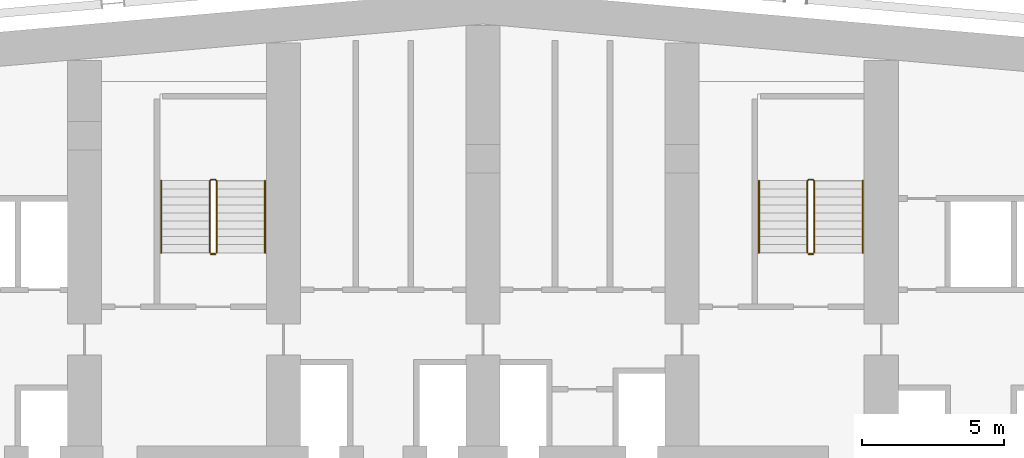
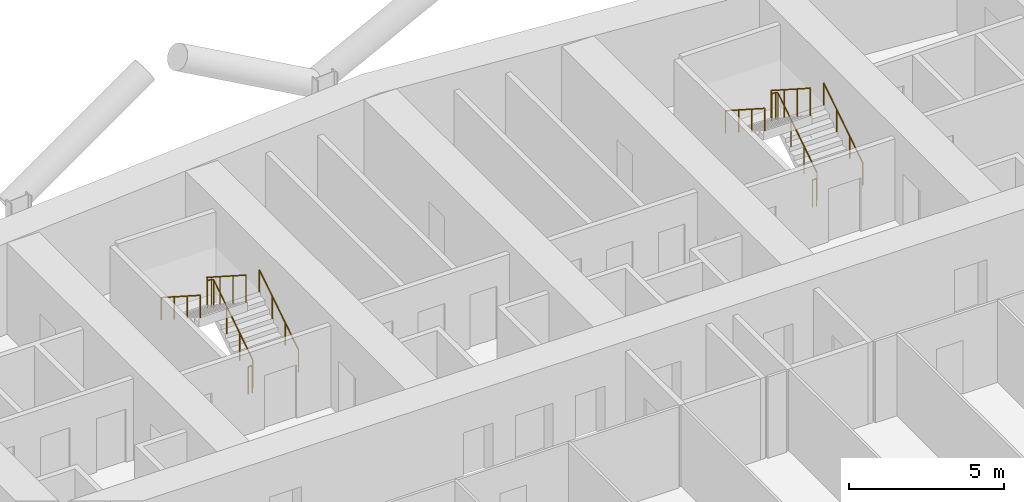
# One storey, part 27 of 28: 8 railings.
"""IFC4 building model written with IfcOpenShell, lengths in metres."""

from ifc_helpers import new_model, si_unit, direction, frame, origin, origin_2d, place, context, subcontext, project, spatial, circle, extrude, material, type_object, element, save


model = new_model("IFC4")

# Units and contexts
model_context = context("Model", 3, precision=1e-05, world=origin(), true_north=direction((0.0, 1.0)))
body_context = subcontext(model_context, "Body", "Model", "MODEL_VIEW")
ifc_project = project(units=[si_unit("LENGTHUNIT", "METRE"), si_unit("AREAUNIT", "SQUARE_METRE"), si_unit("VOLUMEUNIT", "CUBIC_METRE"), si_unit("PLANEANGLEUNIT", "RADIAN"), si_unit("MASSUNIT", "GRAM", prefix="KILO")], contexts=[model_context])

# Site, building, storey
site_placement = place(None, origin())
site = spatial("IfcSite", under=ifc_project, at=site_placement, CompositionType="ELEMENT")
building_placement = place(site_placement, origin())
building = spatial("IfcBuilding", under=site, at=building_placement, Name="Wharfspan Tower", CompositionType="ELEMENT")
storey_placement = place(building_placement, frame((0.0, 0.0, 52.300049)))
storey = spatial("IfcBuildingStorey", under=building, at=storey_placement, Name="L09", CompositionType="ELEMENT", Elevation=52.300049)

# Railings
ifc_material = material(Name="Steel S355J2", Category="steel")
railing_type_1 = type_object("IfcRailingType", Name="Stair guard 1100", PredefinedType="GUARDRAIL", material=ifc_material)
railing_1_placement = place(storey_placement, frame((27.649902, 42.0, 0.179932)))
element("IfcRailing", 1, at=railing_1_placement, inside=storey, type_object=railing_type_1, Name="L09 ST1 stair guard 1", PredefinedType="GUARDRAIL", context=body_context, shape_type="SweptSolid", body=[
    extrude(circle(Radius=0.023926, at=origin_2d()), frame((0.0, 0.0, 1.076172), z_axis=(0.0, 0.841163, 0.540782), x_axis=(-1.0, 0.0, 0.0)), (0.0, 0.0, 1.0), 2.99585),
    extrude(circle(Radius=0.023926, at=origin_2d()), frame((0.0, 2.52002, 2.696289), z_axis=(-0.705376, 0.708834, 0.0), x_axis=(-0.708834, -0.705376, 0.0)), (0.0, 0.0, 1.0), 0.070557),
    extrude(circle(Radius=0.023926, at=origin_2d()), frame((-0.049805, 2.570068, 2.696289), z_axis=(-1.0, 0.0, 0.0), x_axis=(0.0, -1.0, 0.0)), (0.0, 0.0, 1.0), 0.150146),
    extrude(circle(Radius=0.023926, at=origin_2d()), frame((-0.199951, 2.570068, 2.696289), z_axis=(-0.258848, -0.258848, 0.930589), x_axis=(0.707107, -0.707107, 0.0)), (0.0, 0.0, 1.0), 0.193359),
    extrude(circle(Radius=0.023926, at=origin_2d()), frame((-0.25, 2.52002, 2.875977), z_axis=(0.0, -0.8412, 0.540725), x_axis=(1.0, 0.0, 0.0)), (0.0, 0.0, 1.0), 2.99585),
    extrude(circle(Radius=0.020996, at=origin_2d()), origin(), (0.0, 0.0, 1.0), 1.052002),
    extrude(circle(Radius=0.020996, at=origin_2d()), frame((0.0, 0.840088, 0.540039)), (0.0, 0.0, 1.0), 1.052002),
    extrude(circle(Radius=0.020996, at=origin_2d()), frame((0.0, 1.679932, 1.080078)), (0.0, 0.0, 1.0), 1.052002),
    extrude(circle(Radius=0.020996, at=origin_2d()), frame((0.0, 2.52002, 1.620117)), (0.0, 0.0, 1.0), 1.052002),
    extrude(circle(Radius=0.020996, at=origin_2d()), frame((-0.049805, 2.570068, 1.620117)), (0.0, 0.0, 1.0), 1.052002),
    extrude(circle(Radius=0.020996, at=origin_2d()), frame((-0.199951, 2.570068, 1.620117)), (0.0, 0.0, 1.0), 1.052002),
    extrude(circle(Radius=0.020996, at=origin_2d()), frame((-0.25, 2.52002, 1.800049)), (0.0, 0.0, 1.0), 1.052002),
    extrude(circle(Radius=0.020996, at=origin_2d()), frame((-0.25, 1.679932, 2.340088)), (0.0, 0.0, 1.0), 1.052002),
    extrude(circle(Radius=0.020996, at=origin_2d()), frame((-0.25, 0.840088, 2.879883)), (0.0, 0.0, 1.0), 1.052002),
    extrude(circle(Radius=0.020996, at=origin_2d()), frame((-0.25, 0.0, 3.419922)), (0.0, 0.0, 1.0), 1.052002),
])
railing_2_placement = place(storey_placement, frame((27.600098, 41.949951, 0.0)))
element("IfcRailing", 2, at=railing_2_placement, inside=storey, type_object=railing_type_1, Name="L09 ST1 stair guard 2", PredefinedType="GUARDRAIL", context=body_context, shape_type="SweptSolid", body=[
    extrude(circle(Radius=0.023926, at=origin_2d()), frame((0.0, 0.0, 1.076172), z_axis=(-1.0, 0.0, 0.0), x_axis=(0.0, -1.0, 0.0)), (0.0, 0.0, 1.0), 0.150146),
    extrude(circle(Radius=0.020996, at=origin_2d()), origin(), (0.0, 0.0, 1.0), 1.052002),
    extrude(circle(Radius=0.020996, at=origin_2d()), frame((-0.150146, 0.0, 0.0)), (0.0, 0.0, 1.0), 1.052002),
])
railing_3_placement = place(storey_placement, frame((48.649902, 42.0, 0.179932)))
element("IfcRailing", 3, at=railing_3_placement, inside=storey, type_object=railing_type_1, Name="L09 ST2 stair guard 1", PredefinedType="GUARDRAIL", context=body_context, shape_type="SweptSolid", body=[
    extrude(circle(Radius=0.023926, at=origin_2d()), frame((0.0, 0.0, 1.076172), z_axis=(0.0, 0.841163, 0.540782), x_axis=(-1.0, 0.0, 0.0)), (0.0, 0.0, 1.0), 2.99585),
    extrude(circle(Radius=0.023926, at=origin_2d()), frame((0.0, 2.52002, 2.696289), z_axis=(-0.705376, 0.708834, 0.0), x_axis=(-0.708834, -0.705376, 0.0)), (0.0, 0.0, 1.0), 0.070557),
    extrude(circle(Radius=0.023926, at=origin_2d()), frame((-0.049805, 2.570068, 2.696289), z_axis=(-1.0, 0.0, 0.0), x_axis=(0.0, -1.0, 0.0)), (0.0, 0.0, 1.0), 0.150146),
    extrude(circle(Radius=0.023926, at=origin_2d()), frame((-0.199951, 2.570068, 2.696289), z_axis=(-0.258848, -0.258848, 0.930589), x_axis=(0.707107, -0.707107, 0.0)), (0.0, 0.0, 1.0), 0.193359),
    extrude(circle(Radius=0.023926, at=origin_2d()), frame((-0.25, 2.52002, 2.875977), z_axis=(0.0, -0.8412, 0.540725), x_axis=(1.0, 0.0, 0.0)), (0.0, 0.0, 1.0), 2.99585),
    extrude(circle(Radius=0.020996, at=origin_2d()), origin(), (0.0, 0.0, 1.0), 1.052002),
    extrude(circle(Radius=0.020996, at=origin_2d()), frame((0.0, 0.840088, 0.540039)), (0.0, 0.0, 1.0), 1.052002),
    extrude(circle(Radius=0.020996, at=origin_2d()), frame((0.0, 1.679932, 1.080078)), (0.0, 0.0, 1.0), 1.052002),
    extrude(circle(Radius=0.020996, at=origin_2d()), frame((0.0, 2.52002, 1.620117)), (0.0, 0.0, 1.0), 1.052002),
    extrude(circle(Radius=0.020996, at=origin_2d()), frame((-0.049805, 2.570068, 1.620117)), (0.0, 0.0, 1.0), 1.052002),
    extrude(circle(Radius=0.020996, at=origin_2d()), frame((-0.199951, 2.570068, 1.620117)), (0.0, 0.0, 1.0), 1.052002),
    extrude(circle(Radius=0.020996, at=origin_2d()), frame((-0.25, 2.52002, 1.800049)), (0.0, 0.0, 1.0), 1.052002),
    extrude(circle(Radius=0.020996, at=origin_2d()), frame((-0.25, 1.679932, 2.340088)), (0.0, 0.0, 1.0), 1.052002),
    extrude(circle(Radius=0.020996, at=origin_2d()), frame((-0.25, 0.840088, 2.879883)), (0.0, 0.0, 1.0), 1.052002),
    extrude(circle(Radius=0.020996, at=origin_2d()), frame((-0.25, 0.0, 3.419922)), (0.0, 0.0, 1.0), 1.052002),
])
railing_4_placement = place(storey_placement, frame((48.600098, 41.949951, 0.0)))
element("IfcRailing", 4, at=railing_4_placement, inside=storey, type_object=railing_type_1, Name="L09 ST2 stair guard 2", PredefinedType="GUARDRAIL", context=body_context, shape_type="SweptSolid", body=[
    extrude(circle(Radius=0.023926, at=origin_2d()), frame((0.0, 0.0, 1.076172), z_axis=(-1.0, 0.0, 0.0), x_axis=(0.0, -1.0, 0.0)), (0.0, 0.0, 1.0), 0.150146),
    extrude(circle(Radius=0.020996, at=origin_2d()), origin(), (0.0, 0.0, 1.0), 1.052002),
    extrude(circle(Radius=0.020996, at=origin_2d()), frame((-0.150146, 0.0, 0.0)), (0.0, 0.0, 1.0), 1.052002),
])
railing_type_2 = type_object("IfcRailingType", Name="Stair handrail 900", PredefinedType="HANDRAIL", material=ifc_material)
railing_5_placement = place(storey_placement, frame((29.350098, 42.0, 0.179932)))
element("IfcRailing", 5, at=railing_5_placement, inside=storey, type_object=railing_type_2, Name="L09 ST1 stair handrail 1", PredefinedType="HANDRAIL", context=body_context, shape_type="SweptSolid", body=[
    extrude(circle(Radius=0.023926, at=origin_2d()), frame((0.0, 0.0, 0.875977), z_axis=(0.0, 0.841163, 0.540782), x_axis=(-1.0, 0.0, 0.0)), (0.0, 0.0, 1.0), 2.99585),
    extrude(circle(Radius=0.020996, at=origin_2d()), origin(), (0.0, 0.0, 1.0), 0.851807),
    extrude(circle(Radius=0.020996, at=origin_2d()), frame((0.0, 0.840088, 0.540039)), (0.0, 0.0, 1.0), 0.851807),
    extrude(circle(Radius=0.020996, at=origin_2d()), frame((0.0, 1.679932, 1.080078)), (0.0, 0.0, 1.0), 0.851807),
    extrude(circle(Radius=0.020996, at=origin_2d()), frame((0.0, 2.52002, 1.620117)), (0.0, 0.0, 1.0), 0.851807),
])
railing_6_placement = place(storey_placement, frame((25.699951, 44.52002, 1.97998)))
element("IfcRailing", 6, at=railing_6_placement, inside=storey, type_object=railing_type_2, Name="L09 ST1 stair handrail 2", PredefinedType="HANDRAIL", context=body_context, shape_type="SweptSolid", body=[
    extrude(circle(Radius=0.023926, at=origin_2d()), frame((0.0, 0.0, 0.875977), z_axis=(0.0, -0.8412, 0.540725), x_axis=(1.0, 0.0, 0.0)), (0.0, 0.0, 1.0), 2.99585),
    extrude(circle(Radius=0.020996, at=origin_2d()), origin(), (0.0, 0.0, 1.0), 0.851807),
    extrude(circle(Radius=0.020996, at=origin_2d()), frame((0.0, -0.840088, 0.540039)), (0.0, 0.0, 1.0), 0.851807),
    extrude(circle(Radius=0.020996, at=origin_2d()), frame((0.0, -1.679932, 1.079834)), (0.0, 0.0, 1.0), 0.851807),
    extrude(circle(Radius=0.020996, at=origin_2d()), frame((0.0, -2.52002, 1.619873)), (0.0, 0.0, 1.0), 0.851807),
])
railing_7_placement = place(storey_placement, frame((50.350098, 42.0, 0.179932)))
element("IfcRailing", 7, at=railing_7_placement, inside=storey, type_object=railing_type_2, Name="L09 ST2 stair handrail 1", PredefinedType="HANDRAIL", context=body_context, shape_type="SweptSolid", body=[
    extrude(circle(Radius=0.023926, at=origin_2d()), frame((0.0, 0.0, 0.875977), z_axis=(0.0, 0.841163, 0.540782), x_axis=(-1.0, 0.0, 0.0)), (0.0, 0.0, 1.0), 2.99585),
    extrude(circle(Radius=0.020996, at=origin_2d()), origin(), (0.0, 0.0, 1.0), 0.851807),
    extrude(circle(Radius=0.020996, at=origin_2d()), frame((0.0, 0.840088, 0.540039)), (0.0, 0.0, 1.0), 0.851807),
    extrude(circle(Radius=0.020996, at=origin_2d()), frame((0.0, 1.679932, 1.080078)), (0.0, 0.0, 1.0), 0.851807),
    extrude(circle(Radius=0.020996, at=origin_2d()), frame((0.0, 2.52002, 1.620117)), (0.0, 0.0, 1.0), 0.851807),
])
railing_8_placement = place(storey_placement, frame((46.699951, 44.52002, 1.97998)))
element("IfcRailing", 8, at=railing_8_placement, inside=storey, type_object=railing_type_2, Name="L09 ST2 stair handrail 2", PredefinedType="HANDRAIL", context=body_context, shape_type="SweptSolid", body=[
    extrude(circle(Radius=0.023926, at=origin_2d()), frame((0.0, 0.0, 0.875977), z_axis=(0.0, -0.8412, 0.540725), x_axis=(1.0, 0.0, 0.0)), (0.0, 0.0, 1.0), 2.99585),
    extrude(circle(Radius=0.020996, at=origin_2d()), origin(), (0.0, 0.0, 1.0), 0.851807),
    extrude(circle(Radius=0.020996, at=origin_2d()), frame((0.0, -0.840088, 0.540039)), (0.0, 0.0, 1.0), 0.851807),
    extrude(circle(Radius=0.020996, at=origin_2d()), frame((0.0, -1.679932, 1.079834)), (0.0, 0.0, 1.0), 0.851807),
    extrude(circle(Radius=0.020996, at=origin_2d()), frame((0.0, -2.52002, 1.619873)), (0.0, 0.0, 1.0), 0.851807),
])

save(model, "model.ifc")
